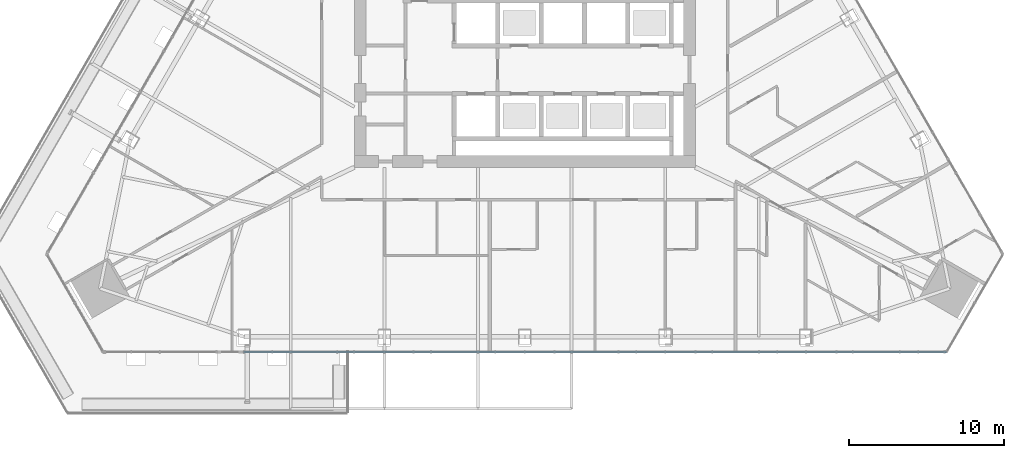
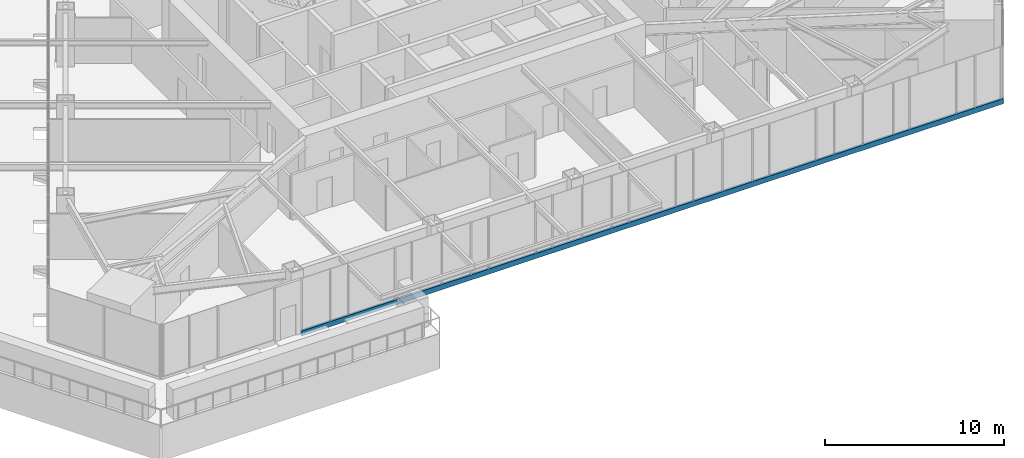
# One storey, part 5 of 35: 1 member, 1 element without a shape of its own.
"""IFC4 building model written with IfcOpenShell, lengths in metres."""

from ifc_helpers import new_model, si_unit, direction, frame, origin, origin_2d, place, context, subcontext, project, spatial, rectangle, extrude, material, layer, layer_set, material_profile, profile_set, type_object, element, aggregate, save


model = new_model("IFC4")

# Units and contexts
model_context = context("Model", 3, precision=1e-05, world=origin(), true_north=direction((0.0, 1.0)))
body_context = subcontext(model_context, "Body", "Model", "MODEL_VIEW")
ifc_project = project(units=[si_unit("LENGTHUNIT", "METRE"), si_unit("AREAUNIT", "SQUARE_METRE"), si_unit("VOLUMEUNIT", "CUBIC_METRE"), si_unit("PLANEANGLEUNIT", "RADIAN"), si_unit("MASSUNIT", "GRAM", prefix="KILO")], contexts=[model_context])

# Site, building, storey
site_placement = place(None, origin())
site = spatial("IfcSite", under=ifc_project, at=site_placement, CompositionType="ELEMENT")
building_placement = place(site_placement, origin())
building = spatial("IfcBuilding", under=site, at=building_placement, Name="Firuza Gate Tower and Library", CompositionType="ELEMENT")
storey_placement = place(building_placement, frame((0.0, 0.0, 159.699951171875)))
storey = spatial("IfcBuildingStorey", under=building, at=storey_placement, Name="L36", CompositionType="ELEMENT", Elevation=159.699951171875)

# Curtain wall, member
ifc_material_1 = material(Name="Aluminium 6063-T6", Category="aluminium")
ifc_layer = layer(ifc_material_1, 0.14990234375)
ifc_layer_set = layer_set([ifc_layer], Name="Unitised curtain wall, hotel")
curtain_wall_type = type_object("IfcCurtainWallType", Name="Unitised curtain wall, hotel", PredefinedType="NOTDEFINED", material=ifc_layer_set)
curtain_wall_placement = place(storey_placement, origin())
curtain_wall = element("IfcCurtainWall", 1, at=curtain_wall_placement, inside=storey, type_object=curtain_wall_type, Name="CW2 L36 S face", PredefinedType="NOTDEFINED")
ifc_material_2 = material(Name="Aluminium 6063-T6", Category="aluminium")
ifc_material_profile = material_profile(ifc_material_2, rectangle(XDim=0.14990234375, YDim=0.35009765625, at=origin_2d()))
ifc_profile_set = profile_set([ifc_material_profile], Name="Aluminium 6063-T6")
member_type = type_object("IfcMemberType", Name="Curtain wall transom 350x150", PredefinedType="USERDEFINED", material=ifc_profile_set)
member_placement = place(storey_placement, frame((56.86328125, 55.086181640625, -0.02490234375), z_axis=(1.0, 0.0, 0.0), x_axis=(0.0, 1.0, 0.0)))
member = element("IfcMember", 2, at=member_placement, type_object=member_type, Name="Transom", ObjectType="TRANSOM", PredefinedType="USERDEFINED", context=body_context, shape_type="SweptSolid", body=[
    extrude(rectangle(XDim=0.14990234375, YDim=0.35009765625, at=origin_2d()), origin(), (0.0, 0.0, 1.0), 45.342041015625),
])
aggregate(curtain_wall, [member])

save(model, "model.ifc")
